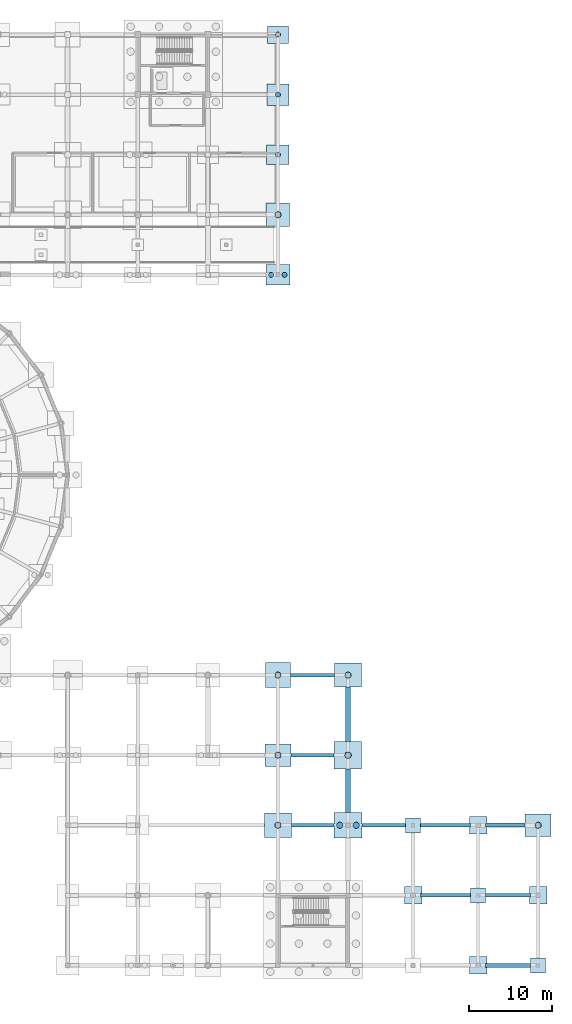
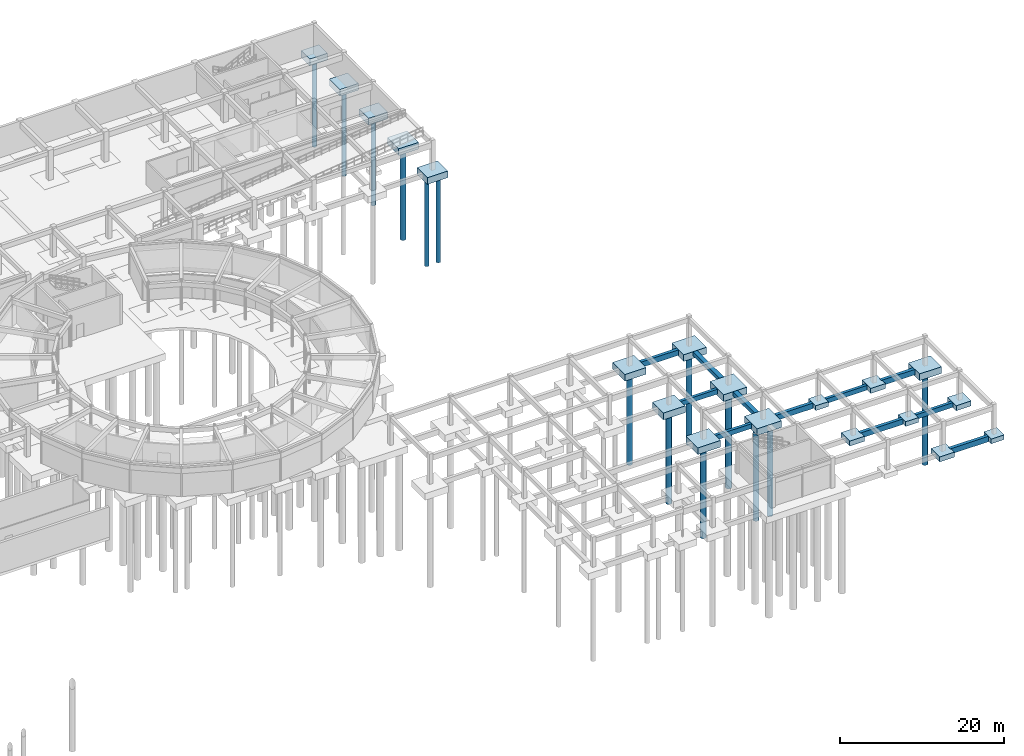
# One storey, part 7 of 43: 30 footings, 14 piles.
"""IFC4 building model written with IfcOpenShell, lengths in metres."""

from ifc_helpers import new_model, si_unit, derived_unit, direction, frame, origin, origin_2d, place, context, subcontext, project, spatial, rectangle, circle, extrude, material, material_profile, profile_set, type_object, element, save


model = new_model("IFC4")

# Units and contexts
model_context = context("Model", 3, precision=1e-05, world=origin(), true_north=direction((0.0, 1.0)))
body_context = subcontext(model_context, "Body", "Model", "MODEL_VIEW")
ifc_project = project(units=[si_unit("LENGTHUNIT", "METRE"), si_unit("AREAUNIT", "SQUARE_METRE"), si_unit("VOLUMEUNIT", "CUBIC_METRE"), si_unit("PLANEANGLEUNIT", "RADIAN"), si_unit("MASSUNIT", "GRAM", prefix="KILO"), derived_unit("THERMALTRANSMITTANCEUNIT", [(si_unit("POWERUNIT", "WATT"), 1), (si_unit("AREAUNIT", "SQUARE_METRE"), -1), (si_unit("THERMODYNAMICTEMPERATUREUNIT", "KELVIN"), -1)])], contexts=[model_context])

# Site, building, storey
site_placement = place(None, origin())
site = spatial("IfcSite", under=ifc_project, at=site_placement, CompositionType="ELEMENT")
building_placement = place(site_placement, origin())
building = spatial("IfcBuilding", under=site, at=building_placement, Name="Yasenodar Specialist Clinic", CompositionType="ELEMENT")
storey_placement = place(building_placement, frame((0.0, 0.0, -4.5)))
storey = spatial("IfcBuildingStorey", under=building, at=storey_placement, Name="B1", CompositionType="ELEMENT", Elevation=-4.5)

# Footings
ifc_material_1 = material(Name="Concrete C35/45", Category="concrete")
ifc_material_profile_1 = material_profile(ifc_material_1, rectangle(XDim=0.39990234375, YDim=0.699951171875, at=origin_2d()), Name="RC 400x700")
ifc_profile_set_1 = profile_set([ifc_material_profile_1], Name="Concrete C35/45")
footing_type_1 = type_object("IfcFootingType", Name="FB-400x700", PredefinedType="FOOTING_BEAM", material=ifc_profile_set_1)
footing_1_placement = place(storey_placement, frame((155.10009765625, 8.39990234375, -0.39990234375), z_axis=(1.0, 0.0, 0.0), x_axis=(0.0, 1.0, 0.0)))
element("IfcFooting", 1, at=footing_1_placement, inside=storey, type_object=footing_type_1, Name="B1 E-W Ground Tie Beam 020", PredefinedType="FOOTING_BEAM", context=body_context, shape_type="SweptSolid", body=[
    extrude(rectangle(XDim=0.39990234375, YDim=0.699951171875, at=origin_2d()), origin(), (0.0, 0.0, 1.0), 5.39990234375),
])
footing_2_placement = place(storey_placement, frame((131.800048828125, 16.800048828125, -0.39990234375), z_axis=(1.0, 0.0, 0.0), x_axis=(0.0, 1.0, 0.0)))
element("IfcFooting", 2, at=footing_2_placement, inside=storey, type_object=footing_type_1, Name="B1 E-W Ground Tie Beam 028", PredefinedType="FOOTING_BEAM", context=body_context, shape_type="SweptSolid", body=[
    extrude(rectangle(XDim=0.39990234375, YDim=0.699951171875, at=origin_2d()), origin(), (0.0, 0.0, 1.0), 5.099853515625),
])
footing_3_placement = place(storey_placement, frame((147.300048828125, 16.800048828125, -0.39990234375), z_axis=(1.0, 0.0, 0.0), x_axis=(0.0, 1.0, 0.0)))
element("IfcFooting", 3, at=footing_3_placement, inside=storey, type_object=footing_type_1, Name="B1 E-W Ground Tie Beam 030", PredefinedType="FOOTING_BEAM", context=body_context, shape_type="SweptSolid", body=[
    extrude(rectangle(XDim=0.39990234375, YDim=0.699951171875, at=origin_2d()), origin(), (0.0, 0.0, 1.0), 6.0),
])
footing_4_placement = place(storey_placement, frame((131.75, 25.199951171875, -0.39990234375), z_axis=(1.0, 0.0, 0.0), x_axis=(0.0, 1.0, 0.0)))
element("IfcFooting", 4, at=footing_4_placement, inside=storey, type_object=footing_type_1, Name="B1 E-W Ground Tie Beam 040", PredefinedType="FOOTING_BEAM", context=body_context, shape_type="SweptSolid", body=[
    extrude(rectangle(XDim=0.39990234375, YDim=0.699951171875, at=origin_2d()), origin(), (0.0, 0.0, 1.0), 5.199951171875),
])
ifc_material_profile_2 = material_profile(ifc_material_1, rectangle(XDim=0.449951171875, YDim=0.800048828125, at=origin_2d()), Name="RC 450x800")
ifc_profile_set_2 = profile_set([ifc_material_profile_2], Name="Concrete C35/45")
footing_type_2 = type_object("IfcFootingType", Name="FB-450x800", PredefinedType="FOOTING_BEAM", material=ifc_profile_set_2)
footing_5_placement = place(storey_placement, frame((155.10009765625, 0.0, -0.39990234375), z_axis=(1.0, 0.0, 0.0), x_axis=(0.0, 1.0, 0.0)))
element("IfcFooting", 5, at=footing_5_placement, inside=storey, type_object=footing_type_2, Name="B1 E-W Ground Tie Beam 009", PredefinedType="FOOTING_BEAM", context=body_context, shape_type="SweptSolid", body=[
    extrude(rectangle(XDim=0.449951171875, YDim=0.800048828125, at=origin_2d()), origin(), (0.0, 0.0, 1.0), 5.39990234375),
])
footing_6_placement = place(storey_placement, frame((147.300048828125, 8.39990234375, -0.39990234375), z_axis=(1.0, 0.0, 0.0), x_axis=(0.0, 1.0, 0.0)))
element("IfcFooting", 6, at=footing_6_placement, inside=storey, type_object=footing_type_2, Name="B1 E-W Ground Tie Beam 019", PredefinedType="FOOTING_BEAM", context=body_context, shape_type="SweptSolid", body=[
    extrude(rectangle(XDim=0.449951171875, YDim=0.800048828125, at=origin_2d()), origin(), (0.0, 0.0, 1.0), 6.0),
])
footing_7_placement = place(storey_placement, frame((140.300048828125, 16.800048828125, -0.39990234375), z_axis=(1.0, 0.0, 0.0), x_axis=(0.0, 1.0, 0.0)))
element("IfcFooting", 7, at=footing_7_placement, inside=storey, type_object=footing_type_2, Name="B1 E-W Ground Tie Beam 029", PredefinedType="FOOTING_BEAM", context=body_context, shape_type="SweptSolid", body=[
    extrude(rectangle(XDim=0.449951171875, YDim=0.800048828125, at=origin_2d()), origin(), (0.0, 0.0, 1.0), 5.199951171875),
])
footing_8_placement = place(storey_placement, frame((155.10009765625, 16.800048828125, -0.39990234375), z_axis=(1.0, 0.0, 0.0), x_axis=(0.0, 1.0, 0.0)))
element("IfcFooting", 8, at=footing_8_placement, inside=storey, type_object=footing_type_2, Name="B1 E-W Ground Tie Beam 031", PredefinedType="FOOTING_BEAM", context=body_context, shape_type="SweptSolid", body=[
    extrude(rectangle(XDim=0.449951171875, YDim=0.800048828125, at=origin_2d()), origin(), (0.0, 0.0, 1.0), 4.75),
])
footing_9_placement = place(storey_placement, frame((131.699951171875, 34.800048828125, -0.39990234375), z_axis=(1.0, 0.0, 0.0), x_axis=(0.0, 1.0, 0.0)))
element("IfcFooting", 9, at=footing_9_placement, inside=storey, type_object=footing_type_2, Name="B1 E-W Ground Tie Beam 051", PredefinedType="FOOTING_BEAM", context=body_context, shape_type="SweptSolid", body=[
    extrude(rectangle(XDim=0.449951171875, YDim=0.800048828125, at=origin_2d()), origin(), (0.0, 0.0, 1.0), 5.300048828125),
])
ifc_material_profile_3 = material_profile(ifc_material_1, rectangle(XDim=0.60009765625, YDim=0.60009765625, at=origin_2d()), Name="RC 600x600")
ifc_profile_set_3 = profile_set([ifc_material_profile_3], Name="Concrete C35/45")
footing_type_3 = type_object("IfcFootingType", Name="FB-600x600", PredefinedType="FOOTING_BEAM", material=ifc_profile_set_3)
footing_10_placement = place(storey_placement, frame((138.60009765625, 18.35009765625, -0.300048828125), z_axis=(0.0, 1.0, 0.0), x_axis=(-1.0, 0.0, 0.0)))
element("IfcFooting", 10, at=footing_10_placement, inside=storey, type_object=footing_type_3, Name="B1 N-S Ground Tie Beam 187", PredefinedType="FOOTING_BEAM", context=body_context, shape_type="SweptSolid", body=[
    extrude(rectangle(XDim=0.60009765625, YDim=0.60009765625, at=origin_2d()), origin(), (0.0, 0.0, 1.0), 5.199951171875),
])
footing_11_placement = place(storey_placement, frame((138.60009765625, 26.85009765625, -0.300048828125), z_axis=(0.0, 1.0, 0.0), x_axis=(-1.0, 0.0, 0.0)))
element("IfcFooting", 11, at=footing_11_placement, inside=storey, type_object=footing_type_3, Name="B1 N-S Ground Tie Beam 188", PredefinedType="FOOTING_BEAM", context=body_context, shape_type="SweptSolid", body=[
    extrude(rectangle(XDim=0.60009765625, YDim=0.60009765625, at=origin_2d()), origin(), (0.0, 0.0, 1.0), 6.5),
])
footing_type_4 = type_object("IfcFootingType", Name="PAD-1800", PredefinedType="PAD_FOOTING", material=ifc_material_1)
for number, where, z_axis, x_axis, name in (
    (12, (146.39990234375, 16.800048828125, -0.7001953125), (0.0, 0.0, 1.0), (1.0, 0.0, 0.0), "B1 Spread Pad Footing 03"),
    (13, (154.199951171875, 8.39990234375, -0.7001953125), (0.0, 0.0, 1.0), (1.0, 0.0, 0.0), "B1 Spread Pad Footing 05"),
    (14, (161.39990234375, 0.0, -0.7001953125), (0.0, 0.0, 1.0), (1.0, 0.0, 0.0), "B1 Spread Pad Footing 07"),
):
    element("IfcFooting", number, at=place(storey_placement, frame(where, z_axis=z_axis, x_axis=x_axis)), inside=storey, type_object=footing_type_4, Name=name, PredefinedType="PAD_FOOTING", context=body_context, shape_type="SweptSolid", body=[
        extrude(rectangle(XDim=1.800048828125, YDim=1.800048828125, at=origin_2d()), origin(), (0.0, 0.0, 1.0), 0.699951171875),
    ])
footing_type_5 = type_object("IfcFootingType", Name="PAD-2100", PredefinedType="PAD_FOOTING", material=ifc_material_1)
for number, where, z_axis, x_axis, name in (
    (15, (146.39990234375, 8.39990234375, -0.75), (0.0, 0.0, 1.0), (1.0, 0.0, 0.0), "B1 Spread Pad Footing 02"),
    (16, (154.199951171875, 0.0, -0.75), (0.0, 0.0, 1.0), (1.0, 0.0, 0.0), "B1 Spread Pad Footing 04"),
    (17, (154.199951171875, 16.800048828125, -0.75), (0.0, 0.0, 1.0), (1.0, 0.0, 0.0), "B1 Spread Pad Footing 06"),
    (18, (161.39990234375, 8.39990234375, -0.75), (0.0, 0.0, 1.0), (1.0, 0.0, 0.0), "B1 Spread Pad Footing 08"),
):
    element("IfcFooting", number, at=place(storey_placement, frame(where, z_axis=z_axis, x_axis=x_axis)), inside=storey, type_object=footing_type_5, Name=name, PredefinedType="PAD_FOOTING", context=body_context, shape_type="SweptSolid", body=[
        extrude(rectangle(XDim=2.10009765625, YDim=2.10009765625, at=origin_2d()), origin(), (0.0, 0.0, 1.0), 0.75),
    ])
footing_type_6 = type_object("IfcFootingType", Name="PC-250x210", PredefinedType="PILE_CAP", material=ifc_material_1)
footing_12_placement = place(storey_placement, frame((130.199951171875, 111.60009765625, -1.0), z_axis=(0.0, 0.0, 1.0), x_axis=(1.0, 0.0, 0.0)))
element("IfcFooting", 19, at=footing_12_placement, inside=storey, type_object=footing_type_6, Name="B1 Pile Cap 182", PredefinedType="PILE_CAP", context=body_context, shape_type="SweptSolid", body=[
    extrude(rectangle(XDim=2.5, YDim=2.10009765625, at=origin_2d()), origin(), (0.0, 0.0, 1.0), 1.0),
])
footing_type_7 = type_object("IfcFootingType", Name="PC-260x260", PredefinedType="PILE_CAP", material=ifc_material_1)
footing_13_placement = place(storey_placement, frame((130.199951171875, 104.39990234375, -1.0), z_axis=(0.0, 0.0, 1.0), x_axis=(1.0, 0.0, 0.0)))
element("IfcFooting", 20, at=footing_13_placement, inside=storey, type_object=footing_type_7, Name="B1 Pile Cap 165", PredefinedType="PILE_CAP", context=body_context, shape_type="SweptSolid", body=[
    extrude(rectangle(XDim=2.60009765625, YDim=2.60009765625, at=origin_2d()), origin(), (0.0, 0.0, 1.0), 1.0),
])
footing_type_8 = type_object("IfcFootingType", Name="PC-270x230", PredefinedType="PILE_CAP", material=ifc_material_1)
footing_14_placement = place(storey_placement, frame((130.199951171875, 97.199951171875, -1.0), z_axis=(0.0, 0.0, 1.0), x_axis=(1.0, 0.0, 0.0)))
element("IfcFooting", 21, at=footing_14_placement, inside=storey, type_object=footing_type_8, Name="B1 Pile Cap 153", PredefinedType="PILE_CAP", context=body_context, shape_type="SweptSolid", body=[
    extrude(rectangle(XDim=2.699951171875, YDim=2.300048828125, at=origin_2d()), origin(), (0.0, 0.0, 1.0), 1.0),
])
footing_type_9 = type_object("IfcFootingType", Name="PC-280x280", PredefinedType="PILE_CAP", material=ifc_material_1)
footing_15_placement = place(storey_placement, frame((130.199951171875, 90.0, -1.0), z_axis=(0.0, 0.0, 1.0), x_axis=(1.0, 0.0, 0.0)))
element("IfcFooting", 22, at=footing_15_placement, inside=storey, type_object=footing_type_9, Name="B1 Pile Cap 137", PredefinedType="PILE_CAP", context=body_context, shape_type="SweptSolid", body=[
    extrude(rectangle(XDim=2.800048828125, YDim=2.800048828125, at=origin_2d()), origin(), (0.0, 0.0, 1.0), 1.0),
])
footing_type_10 = type_object("IfcFootingType", Name="PC-290x250", PredefinedType="PILE_CAP", material=ifc_material_1)
footing_16_placement = place(storey_placement, frame((130.199951171875, 82.800048828125, -1.0), z_axis=(0.0, 0.0, 1.0), x_axis=(1.0, 0.0, 0.0)))
element("IfcFooting", 23, at=footing_16_placement, inside=storey, type_object=footing_type_10, Name="B1 Pile Cap 125", PredefinedType="PILE_CAP", context=body_context, shape_type="SweptSolid", body=[
    extrude(rectangle(XDim=2.89990234375, YDim=2.5, at=origin_2d()), origin(), (0.0, 0.0, 1.0), 1.0),
])
footing_type_11 = type_object("IfcFootingType", Name="PC-300x300", PredefinedType="PILE_CAP", material=ifc_material_1)
footing_17_placement = place(storey_placement, frame((130.199951171875, 34.800048828125, -1.0), z_axis=(0.0, 0.0, 1.0), x_axis=(1.0, 0.0, 0.0)))
element("IfcFooting", 24, at=footing_17_placement, inside=storey, type_object=footing_type_11, Name="B1 Pile Cap 047", PredefinedType="PILE_CAP", context=body_context, shape_type="SweptSolid", body=[
    extrude(rectangle(XDim=3.0, YDim=3.0, at=origin_2d()), origin(), (0.0, 0.0, 1.0), 1.0),
])
footing_type_12 = type_object("IfcFootingType", Name="PC-310x270", PredefinedType="PILE_CAP", material=ifc_material_1)
for number, where, z_axis, x_axis, name in (
    (25, (161.39990234375, 16.800048828125, -1.0), (0.0, 0.0, 1.0), (1.0, 0.0, 0.0), "B1 Pile Cap 027"),
    (26, (130.199951171875, 25.199951171875, -1.0), (0.0, 0.0, 1.0), (1.0, 0.0, 0.0), "B1 Pile Cap 038"),
):
    element("IfcFooting", number, at=place(storey_placement, frame(where, z_axis=z_axis, x_axis=x_axis)), inside=storey, type_object=footing_type_12, Name=name, PredefinedType="PILE_CAP", context=body_context, shape_type="SweptSolid", body=[
        extrude(rectangle(XDim=3.10009765625, YDim=2.699951171875, at=origin_2d()), origin(), (0.0, 0.0, 1.0), 1.0),
    ])
footing_type_13 = type_object("IfcFootingType", Name="PC-320x290", PredefinedType="PILE_CAP", material=ifc_material_1)
for number, where, z_axis, x_axis, name in (
    (27, (130.199951171875, 16.800048828125, -1.0), (0.0, 0.0, 1.0), (1.0, 0.0, 0.0), "B1 Pile Cap 026"),
    (28, (138.60009765625, 34.800048828125, -1.0), (0.0, 0.0, 1.0), (1.0, 0.0, 0.0), "B1 Pile Cap 049"),
):
    element("IfcFooting", number, at=place(storey_placement, frame(where, z_axis=z_axis, x_axis=x_axis)), inside=storey, type_object=footing_type_13, Name=name, PredefinedType="PILE_CAP", context=body_context, shape_type="SweptSolid", body=[
        extrude(rectangle(XDim=3.199951171875, YDim=2.89990234375, at=origin_2d()), origin(), (0.0, 0.0, 1.0), 1.0),
    ])
footing_type_14 = type_object("IfcFootingType", Name="PC-330x330", PredefinedType="PILE_CAP", material=ifc_material_1)
footing_18_placement = place(storey_placement, frame((138.60009765625, 25.199951171875, -1.0), z_axis=(0.0, 0.0, 1.0), x_axis=(1.0, 0.0, 0.0)))
element("IfcFooting", 29, at=footing_18_placement, inside=storey, type_object=footing_type_14, Name="B1 Pile Cap 036", PredefinedType="PILE_CAP", context=body_context, shape_type="SweptSolid", body=[
    extrude(rectangle(XDim=3.300048828125, YDim=3.300048828125, at=origin_2d()), origin(), (0.0, 0.0, 1.0), 1.0),
])
footing_type_15 = type_object("IfcFootingType", Name="PC-340x310", PredefinedType="PILE_CAP", material=ifc_material_1)
footing_19_placement = place(storey_placement, frame((138.60009765625, 16.800048828125, -1.0), z_axis=(0.0, 0.0, 1.0), x_axis=(1.0, 0.0, 0.0)))
element("IfcFooting", 30, at=footing_19_placement, inside=storey, type_object=footing_type_15, Name="B1 Pile Cap 024", PredefinedType="PILE_CAP", context=body_context, shape_type="SweptSolid", body=[
    extrude(rectangle(XDim=3.39990234375, YDim=3.10009765625, at=origin_2d()), origin(), (0.0, 0.0, 1.0), 1.0),
])

# Piles
ifc_material_2 = material(Name="Concrete C30/37", Category="concrete")
ifc_material_profile_4 = material_profile(ifc_material_2, circle(Radius=0.300048828125, at=origin_2d()), Name="PILE D600")
ifc_profile_set_4 = profile_set([ifc_material_profile_4], Name="Concrete C30/37")
pile_type_1 = type_object("IfcPileType", Name="PILE-D600", PredefinedType="BORED", material=ifc_profile_set_4)
for number, where, z_axis, x_axis, name in (
    (31, (129.389892578125, 82.800048828125, -0.89990234375), (0.0, 0.0, -1.0), (1.0, 0.0, 0.0), "B1 Bored Pile 0230"),
    (32, (131.010009765625, 82.800048828125, -0.89990234375), (0.0, 0.0, -1.0), (1.0, 0.0, 0.0), "B1 Bored Pile 0231"),
    (33, (130.199951171875, 97.199951171875, -0.89990234375), (0.0, 0.0, -1.0), (1.0, 0.0, 0.0), "B1 Bored Pile 0280"),
    (34, (130.199951171875, 104.39990234375, -0.89990234375), (0.0, 0.0, -1.0), (1.0, 0.0, 0.0), "B1 Bored Pile 0307"),
    (35, (130.199951171875, 111.60009765625, -0.89990234375), (0.0, 0.0, -1.0), (1.0, 0.0, 0.0), "B1 Bored Pile 0342"),
):
    element("IfcPile", number, at=place(storey_placement, frame(where, z_axis=z_axis, x_axis=x_axis)), inside=storey, type_object=pile_type_1, Name=name, PredefinedType="BORED", context=body_context, shape_type="SweptSolid", body=[
        extrude(circle(Radius=0.300048828125, at=origin_2d()), origin(), (0.0, 0.0, 1.0), 13.10009765625),
    ])
ifc_material_profile_5 = material_profile(ifc_material_2, circle(Radius=0.375, at=origin_2d()), Name="PILE D750")
ifc_profile_set_5 = profile_set([ifc_material_profile_5], Name="Concrete C30/37")
pile_type_2 = type_object("IfcPileType", Name="PILE-D750", PredefinedType="BORED", material=ifc_profile_set_5)
for number, where, z_axis, x_axis, name in (
    (36, (137.614990234375, 16.800048828125, -0.89990234375), (0.0, 0.0, -1.0), (1.0, 0.0, 0.0), "B1 Bored Pile 0044"),
    (37, (139.5849609375, 16.800048828125, -0.89990234375), (0.0, 0.0, -1.0), (1.0, 0.0, 0.0), "B1 Bored Pile 0045"),
    (38, (130.199951171875, 16.800048828125, -0.89990234375), (0.0, 0.0, -1.0), (1.0, 0.0, 0.0), "B1 Bored Pile 0047"),
    (39, (161.39990234375, 16.800048828125, -0.89990234375), (0.0, 0.0, -1.0), (1.0, 0.0, 0.0), "B1 Bored Pile 0048"),
    (40, (130.199951171875, 25.199951171875, -0.89990234375), (0.0, 0.0, -1.0), (1.0, 0.0, 0.0), "B1 Bored Pile 0061"),
    (41, (130.199951171875, 34.800048828125, -0.89990234375), (0.0, 0.0, -1.0), (1.0, 0.0, 0.0), "B1 Bored Pile 0075"),
    (42, (138.60009765625, 34.800048828125, -0.89990234375), (0.0, 0.0, -1.0), (1.0, 0.0, 0.0), "B1 Bored Pile 0082"),
    (43, (130.199951171875, 90.0, -0.89990234375), (0.0, 0.0, -1.0), (1.0, 0.0, 0.0), "B1 Bored Pile 0244"),
):
    element("IfcPile", number, at=place(storey_placement, frame(where, z_axis=z_axis, x_axis=x_axis)), inside=storey, type_object=pile_type_2, Name=name, PredefinedType="BORED", context=body_context, shape_type="SweptSolid", body=[
        extrude(circle(Radius=0.375, at=origin_2d()), origin(), (0.0, 0.0, 1.0), 13.800048828125),
    ])
ifc_material_profile_6 = material_profile(ifc_material_2, circle(Radius=0.39990234375, at=origin_2d()), Name="PILE D800")
ifc_profile_set_6 = profile_set([ifc_material_profile_6], Name="Concrete C30/37")
pile_type_3 = type_object("IfcPileType", Name="PILE-D800", PredefinedType="BORED", material=ifc_profile_set_6)
pile_placement = place(storey_placement, frame((138.60009765625, 25.199951171875, -0.89990234375), z_axis=(0.0, 0.0, -1.0), x_axis=(1.0, 0.0, 0.0)))
element("IfcPile", 44, at=pile_placement, inside=storey, type_object=pile_type_3, Name="B1 Bored Pile 0059", PredefinedType="BORED", context=body_context, shape_type="SweptSolid", body=[
    extrude(circle(Radius=0.39990234375, at=origin_2d()), origin(), (0.0, 0.0, 1.0), 14.39990234375),
])

save(model, "model.ifc")
